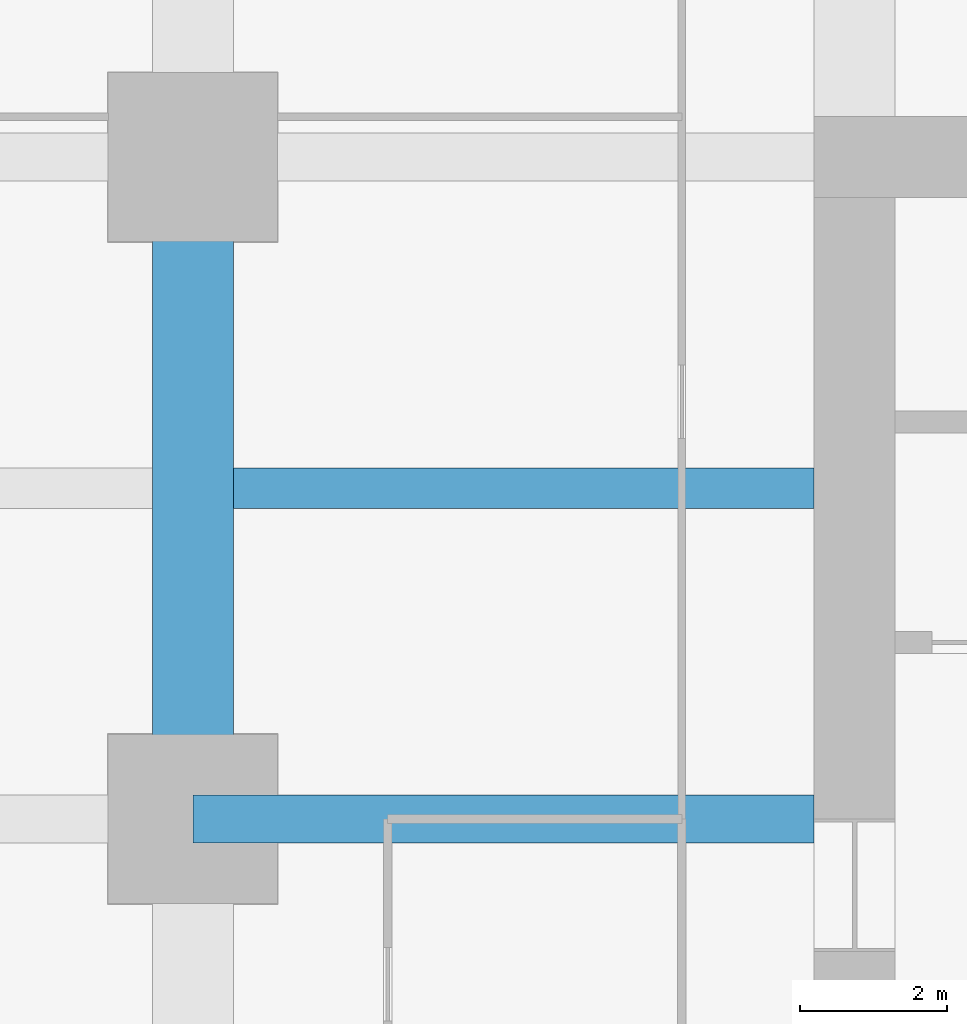
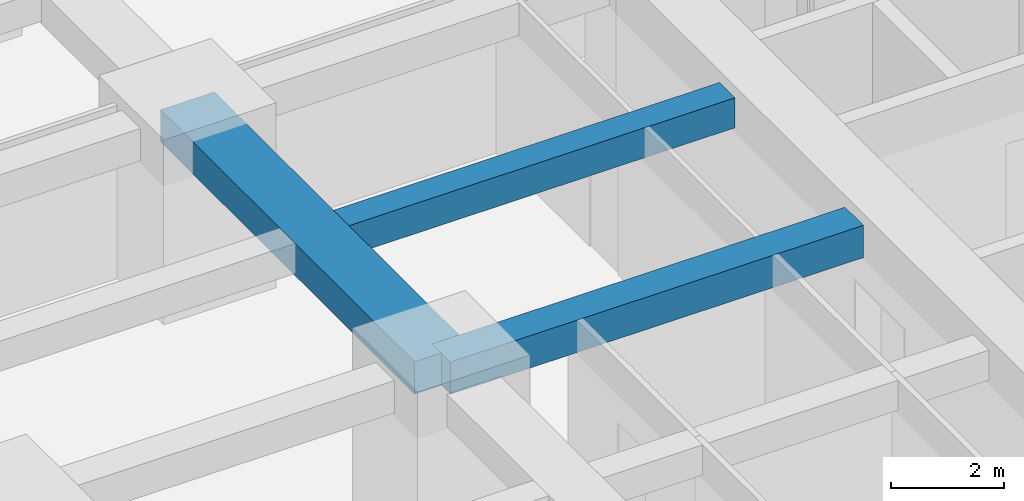
# One storey, part 12 of 45: 3 beams.
"""IFC4 building model written with IfcOpenShell, lengths in metres."""

from ifc_helpers import new_model, si_unit, direction, frame, origin, origin_2d, place, context, subcontext, project, spatial, rectangle, extrude, material, material_profile, profile_set, type_object, element, save


model = new_model("IFC4")

# Units and contexts
model_context = context("Model", 3, precision=1e-05, world=origin(), true_north=direction((0.0, 1.0)))
body_context = subcontext(model_context, "Body", "Model", "MODEL_VIEW")
ifc_project = project(units=[si_unit("LENGTHUNIT", "METRE"), si_unit("AREAUNIT", "SQUARE_METRE"), si_unit("VOLUMEUNIT", "CUBIC_METRE"), si_unit("PLANEANGLEUNIT", "RADIAN"), si_unit("MASSUNIT", "GRAM", prefix="KILO")], contexts=[model_context])

# Site, building, storey
site_placement = place(None, origin())
site = spatial("IfcSite", under=ifc_project, at=site_placement, CompositionType="ELEMENT")
building_placement = place(site_placement, origin())
building = spatial("IfcBuilding", under=site, at=building_placement, Name="Zorevar Civic Tower", CompositionType="ELEMENT")
storey_placement = place(building_placement, frame((0.0, 0.0, 27.800048828125)))
storey = spatial("IfcBuildingStorey", under=building, at=storey_placement, Name="L06", CompositionType="ELEMENT", Elevation=27.800048828125)

# Beams
ifc_material_1 = material(Name="Concrete C50/60", Category="concrete")
ifc_material_profile_1 = material_profile(ifc_material_1, rectangle(XDim=1.10009765625, YDim=0.699951171875, at=origin_2d()), Name="RC 1100x700")
ifc_profile_set_1 = profile_set([ifc_material_profile_1], Name="Concrete C50/60")
beam_type_1 = type_object("IfcBeamType", Name="Beam RC 1100x700", PredefinedType="BEAM", material=ifc_profile_set_1)
beam_1_placement = place(storey_placement, frame((9.0, 27.0, 3.39990234375), z_axis=(0.0, 1.0, 0.0), x_axis=(-1.0, 0.0, 0.0)))
element("IfcBeam", 1, at=beam_1_placement, inside=storey, type_object=beam_type_1, Name="Girder L07", PredefinedType="BEAM", context=body_context, shape_type="SweptSolid", body=[
    extrude(rectangle(XDim=1.10009765625, YDim=0.699951171875, at=origin_2d()), origin(), (0.0, 0.0, 1.0), 9.0),
])
ifc_material_2 = material(Name="Concrete C50/60", Category="concrete")
ifc_material_profile_2 = material_profile(ifc_material_2, rectangle(XDim=0.550048828125, YDim=0.64990234375, at=origin_2d()), Name="RC 550x650")
ifc_profile_set_2 = profile_set([ifc_material_profile_2], Name="Concrete C50/60")
beam_type_2 = type_object("IfcBeamType", Name="Beam RC 550x650", PredefinedType="BEAM", material=ifc_profile_set_2)
beam_2_placement = place(storey_placement, frame((9.550048828125, 31.5, 3.425048828125), z_axis=(1.0, 0.0, 0.0), x_axis=(0.0, 1.0, 0.0)))
element("IfcBeam", 2, at=beam_2_placement, inside=storey, type_object=beam_type_2, Name="Secondary beam L07", PredefinedType="BEAM", context=body_context, shape_type="SweptSolid", body=[
    extrude(rectangle(XDim=0.550048828125, YDim=0.64990234375, at=origin_2d()), origin(), (0.0, 0.0, 1.0), 7.89990234375),
])
ifc_material_3 = material(Name="Concrete C50/60", Category="concrete")
ifc_material_profile_3 = material_profile(ifc_material_3, rectangle(XDim=0.64990234375, YDim=0.699951171875, at=origin_2d()), Name="RC 650x700")
ifc_profile_set_3 = profile_set([ifc_material_profile_3], Name="Concrete C50/60")
beam_type_3 = type_object("IfcBeamType", Name="Beam RC 650x700", PredefinedType="BEAM", material=ifc_profile_set_3)
beam_3_placement = place(storey_placement, frame((9.0, 27.0, 3.39990234375), z_axis=(1.0, 0.0, 0.0), x_axis=(0.0, 1.0, 0.0)))
element("IfcBeam", 3, at=beam_3_placement, inside=storey, type_object=beam_type_3, Name="Girder L07", PredefinedType="BEAM", context=body_context, shape_type="SweptSolid", body=[
    extrude(rectangle(XDim=0.64990234375, YDim=0.699951171875, at=origin_2d()), origin(), (0.0, 0.0, 1.0), 8.449951171875),
])

save(model, "model.ifc")
